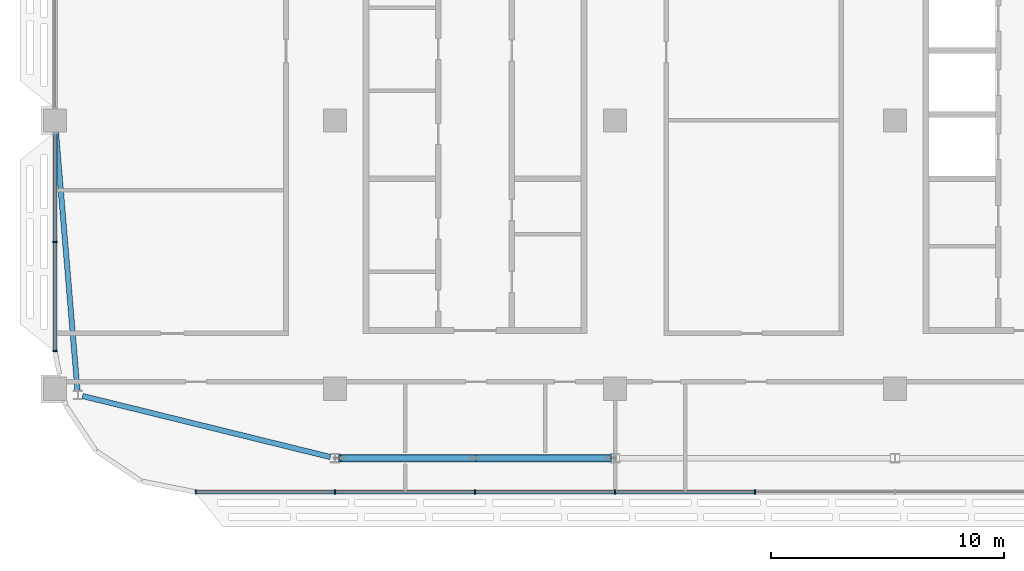
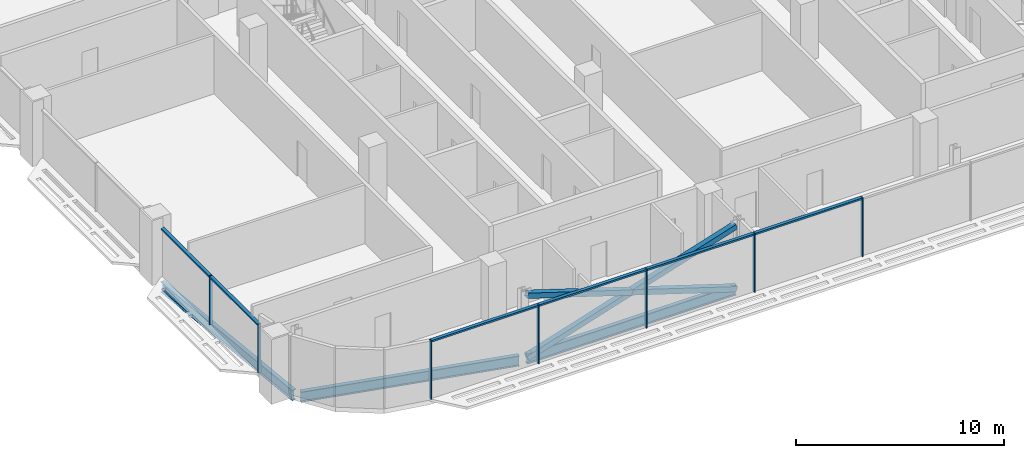
# One storey, part 5 of 32: 16 members, 3 beams, 2 elements without a shape of their own.
"""IFC4 building model written with IfcOpenShell, lengths in metres."""

from ifc_helpers import new_model, si_unit, direction, frame, origin, origin_2d, place, context, subcontext, project, spatial, rectangle, hollow_rectangle, i_section, extrude, material, material_profile, profile_set, type_object, element, aggregate, save


model = new_model("IFC4")

# Units and contexts
model_context = context("Model", 3, precision=1e-05, world=origin(), true_north=direction((0.0, 1.0)))
body_context = subcontext(model_context, "Body", "Model", "MODEL_VIEW")
ifc_project = project(units=[si_unit("LENGTHUNIT", "METRE"), si_unit("AREAUNIT", "SQUARE_METRE"), si_unit("VOLUMEUNIT", "CUBIC_METRE"), si_unit("PLANEANGLEUNIT", "RADIAN"), si_unit("MASSUNIT", "GRAM", prefix="KILO")], contexts=[model_context])

# Site, building, storey
site_placement = place(None, origin())
site = spatial("IfcSite", under=ifc_project, at=site_placement, CompositionType="ELEMENT")
building_placement = place(site_placement, origin())
building = spatial("IfcBuilding", under=site, at=building_placement, Name="Mahtab Terrace Research Tower", CompositionType="ELEMENT")
storey_placement = place(building_placement, frame((0.0, 0.0, 240.0)))
storey = spatial("IfcBuildingStorey", under=building, at=storey_placement, Name="L58", CompositionType="ELEMENT", Elevation=240.0)

# Members
ifc_material_1 = material(Name="Steel ASTM A500 Gr C", Category="steel")
ifc_material_profile_1 = material_profile(ifc_material_1, hollow_rectangle(XDim=0.3046875, YDim=0.3046875, WallThickness=0.015869140625, at=origin_2d()), Name="HSS12X12X5/8")
ifc_profile_set_1 = profile_set([ifc_material_profile_1], Name="Steel ASTM A500 Gr C")
member_type_1 = type_object("IfcMemberType", Name="HSS 12x12x5/8 brace XB121258", PredefinedType="BRACE", material=ifc_profile_set_1)
member_1_placement = place(storey_placement, frame((-29.800537109375, -14.472900390625, -0.580322265625), z_axis=(0.953344342533, 0.0, 0.301885018774), x_axis=(0.0, 1.0, 0.0)))
element("IfcMember", 1, at=member_1_placement, inside=storey, type_object=member_type_1, Name="Exoskeleton brace L58 13 a", PredefinedType="BRACE", context=body_context, shape_type="SweptSolid", body=[
    extrude(hollow_rectangle(XDim=0.3046875, YDim=0.3046875, WallThickness=0.015869140625, at=origin_2d()), origin(), (0.0, 0.0, 1.0), 12.168701171875),
])
for number, where, z_axis, x_axis, name in (
    (2, (-18.199462890625, -14.472900390625, -0.580322265625), (-0.953350116476, 0.0, 0.301866784219), (0.0, -1.0, 0.0), "Exoskeleton brace L58 13 b1"),
    (3, (-24.0, -14.472900390625, 1.25634765625), (-0.953338568311, 0.0, 0.301903252998), (0.0, -1.0, 0.0), "Exoskeleton brace L58 13 b2"),
):
    element("IfcMember", number, at=place(storey_placement, frame(where, z_axis=z_axis, x_axis=x_axis)), inside=storey, type_object=member_type_1, Name=name, PredefinedType="BRACE", context=body_context, shape_type="SweptSolid", body=[
        extrude(hollow_rectangle(XDim=0.3046875, YDim=0.3046875, WallThickness=0.015869140625, at=origin_2d()), origin(), (0.0, 0.0, 1.0), 6.08447265625),
    ])

# Curtain wall, members
ifc_material_2 = material(Name="Office ribbon curtain wall")
curtain_wall_type = type_object("IfcCurtainWallType", Name="Office ribbon curtain wall", PredefinedType="NOTDEFINED", material=ifc_material_2)
curtain_wall_1_placement = place(storey_placement, origin())
curtain_wall_1 = element("IfcCurtainWall", 4, at=curtain_wall_1_placement, inside=storey, type_object=curtain_wall_type, Name="EN.L58.8.10", PredefinedType="NOTDEFINED")
ifc_material_3 = material(Name="Natural anodised aluminium", Category="aluminium")
ifc_material_profile_2 = material_profile(ifc_material_3, rectangle(XDim=0.179931640625, YDim=0.06005859375, at=origin_2d()), Name="MULLION 60x180")
ifc_profile_set_2 = profile_set([ifc_material_profile_2], Name="Natural anodised aluminium")
member_type_2 = type_object("IfcMemberType", Name="Office ribbon curtain wall mullion", PredefinedType="MULLION", material=ifc_profile_set_2)
member_2_placement = place(storey_placement, frame((-42.0, -5.20849609375, 0.0), z_axis=(0.0, 0.0, 1.0), x_axis=(1.0, 0.0, 0.0)))
member_2 = element("IfcMember", 5, at=member_2_placement, type_object=member_type_2, Name="CWO-7 mullion 2", PredefinedType="MULLION", context=body_context, shape_type="SweptSolid", body=[
    extrude(rectangle(XDim=0.179931640625, YDim=0.06005859375, at=origin_2d()), origin(), (0.0, 0.0, 1.0), 2.852783203125),
])
member_3_placement = place(storey_placement, frame((-42.0, -9.886962890625, 0.0), z_axis=(0.0, 0.0, 1.0), x_axis=(1.0, 0.0, 0.0)))
member_3 = element("IfcMember", 6, at=member_3_placement, type_object=member_type_2, Name="CWO-7 mullion 3", PredefinedType="MULLION", context=body_context, shape_type="SweptSolid", body=[
    extrude(rectangle(XDim=0.179931640625, YDim=0.06005859375, at=origin_2d()), origin(), (0.0, 0.0, 1.0), 2.852783203125),
])

curtain_wall_2_placement = place(storey_placement, origin())
curtain_wall_2 = element("IfcCurtainWall", 7, at=curtain_wall_2_placement, inside=storey, type_object=curtain_wall_type, Name="EN.L58.13.16", PredefinedType="NOTDEFINED")
member_4_placement = place(storey_placement, frame((-35.969970703125, -15.9169921875, 0.0), z_axis=(0.0, 0.0, 1.0), x_axis=(0.0, 1.0, 0.0)))
member_4 = element("IfcMember", 8, at=member_4_placement, type_object=member_type_2, Name="CWO-7 mullion 1", PredefinedType="MULLION", context=body_context, shape_type="SweptSolid", body=[
    extrude(rectangle(XDim=0.179931640625, YDim=0.06005859375, at=origin_2d()), origin(), (0.0, 0.0, 1.0), 3.4599609375),
])
member_5_placement = place(storey_placement, frame((-30.0, -15.9169921875, 0.0), z_axis=(0.0, 0.0, 1.0), x_axis=(0.0, 1.0, 0.0)))
member_5 = element("IfcMember", 9, at=member_5_placement, type_object=member_type_2, Name="CWO-7 mullion 2", PredefinedType="MULLION", context=body_context, shape_type="SweptSolid", body=[
    extrude(rectangle(XDim=0.179931640625, YDim=0.06005859375, at=origin_2d()), origin(), (0.0, 0.0, 1.0), 3.4599609375),
])
member_6_placement = place(storey_placement, frame((-24.0, -15.9169921875, 0.0), z_axis=(0.0, 0.0, 1.0), x_axis=(0.0, 1.0, 0.0)))
member_6 = element("IfcMember", 10, at=member_6_placement, type_object=member_type_2, Name="CWO-7 mullion 3", PredefinedType="MULLION", context=body_context, shape_type="SweptSolid", body=[
    extrude(rectangle(XDim=0.179931640625, YDim=0.06005859375, at=origin_2d()), origin(), (0.0, 0.0, 1.0), 3.4599609375),
])
member_7_placement = place(storey_placement, frame((-18.0, -15.9169921875, 0.0), z_axis=(0.0, 0.0, 1.0), x_axis=(0.0, 1.0, 0.0)))
member_7 = element("IfcMember", 11, at=member_7_placement, type_object=member_type_2, Name="CWO-7 mullion 4", PredefinedType="MULLION", context=body_context, shape_type="SweptSolid", body=[
    extrude(rectangle(XDim=0.179931640625, YDim=0.06005859375, at=origin_2d()), origin(), (0.0, 0.0, 1.0), 3.4599609375),
])
member_8_placement = place(storey_placement, frame((-12.0, -15.9169921875, 0.0), z_axis=(0.0, 0.0, 1.0), x_axis=(0.0, 1.0, 0.0)))
member_8 = element("IfcMember", 12, at=member_8_placement, type_object=member_type_2, Name="CWO-7 mullion 5", PredefinedType="MULLION", context=body_context, shape_type="SweptSolid", body=[
    extrude(rectangle(XDim=0.179931640625, YDim=0.06005859375, at=origin_2d()), origin(), (0.0, 0.0, 1.0), 3.4599609375),
])

# Member
ifc_material_profile_3 = material_profile(ifc_material_3, rectangle(XDim=0.179931640625, YDim=0.10009765625, at=origin_2d()), Name="TRANSOM 100x180")
ifc_profile_set_3 = profile_set([ifc_material_profile_3], Name="Natural anodised aluminium")
member_type_3 = type_object("IfcMemberType", Name="Office ribbon curtain wall transom", PredefinedType="USERDEFINED", material=ifc_profile_set_3)
member_9_placement = place(storey_placement, frame((-42.0, -0.56005859375, 2.802978515625), z_axis=(0.0, -1.0, 0.0), x_axis=(1.0, 0.0, 0.0)))
member_9 = element("IfcMember", 13, at=member_9_placement, type_object=member_type_3, Name="CWO-7 transom 1", ObjectType="TRANSOM", PredefinedType="USERDEFINED", context=body_context, shape_type="SweptSolid", body=[
    extrude(rectangle(XDim=0.179931640625, YDim=0.10009765625, at=origin_2d()), origin(), (0.0, 0.0, 1.0), 4.618408203125),
])

member_10_placement = place(storey_placement, frame((-42.0, -5.238525390625, 2.802978515625), z_axis=(0.0, -1.0, 0.0), x_axis=(1.0, 0.0, 0.0)))
member_10 = element("IfcMember", 14, at=member_10_placement, type_object=member_type_3, Name="CWO-7 transom 2", ObjectType="TRANSOM", PredefinedType="USERDEFINED", context=body_context, shape_type="SweptSolid", body=[
    extrude(rectangle(XDim=0.179931640625, YDim=0.10009765625, at=origin_2d()), origin(), (0.0, 0.0, 1.0), 4.618408203125),
])

aggregate(curtain_wall_1, [member_2, member_3, member_9, member_10])

member_11_placement = place(storey_placement, frame((-35.93994140625, -15.9169921875, 3.409912109375), z_axis=(1.0, 0.0, 0.0), x_axis=(0.0, 1.0, 0.0)))
member_11 = element("IfcMember", 15, at=member_11_placement, type_object=member_type_3, Name="CWO-7 transom 1", ObjectType="TRANSOM", PredefinedType="USERDEFINED", context=body_context, shape_type="SweptSolid", body=[
    extrude(rectangle(XDim=0.179931640625, YDim=0.10009765625, at=origin_2d()), origin(), (0.0, 0.0, 1.0), 5.909912109375),
])

member_12_placement = place(storey_placement, frame((-29.969970703125, -15.9169921875, 3.409912109375), z_axis=(1.0, 0.0, 0.0), x_axis=(0.0, 1.0, 0.0)))
member_12 = element("IfcMember", 16, at=member_12_placement, type_object=member_type_3, Name="CWO-7 transom 2", ObjectType="TRANSOM", PredefinedType="USERDEFINED", context=body_context, shape_type="SweptSolid", body=[
    extrude(rectangle(XDim=0.179931640625, YDim=0.10009765625, at=origin_2d()), origin(), (0.0, 0.0, 1.0), 5.93994140625),
])

member_13_placement = place(storey_placement, frame((-23.969970703125, -15.9169921875, 3.409912109375), z_axis=(1.0, 0.0, 0.0), x_axis=(0.0, 1.0, 0.0)))
member_13 = element("IfcMember", 17, at=member_13_placement, type_object=member_type_3, Name="CWO-7 transom 3", ObjectType="TRANSOM", PredefinedType="USERDEFINED", context=body_context, shape_type="SweptSolid", body=[
    extrude(rectangle(XDim=0.179931640625, YDim=0.10009765625, at=origin_2d()), origin(), (0.0, 0.0, 1.0), 5.93994140625),
])

member_14_placement = place(storey_placement, frame((-17.969970703125, -15.9169921875, 3.409912109375), z_axis=(1.0, 0.0, 0.0), x_axis=(0.0, 1.0, 0.0)))
member_14 = element("IfcMember", 18, at=member_14_placement, type_object=member_type_3, Name="CWO-7 transom 4", ObjectType="TRANSOM", PredefinedType="USERDEFINED", context=body_context, shape_type="SweptSolid", body=[
    extrude(rectangle(XDim=0.179931640625, YDim=0.10009765625, at=origin_2d()), origin(), (0.0, 0.0, 1.0), 5.93994140625),
])

aggregate(curtain_wall_2, [member_4, member_5, member_6, member_7, member_8, member_11, member_12, member_13, member_14])

# Beams
ifc_material_4 = material(Name="Steel ASTM A992 Gr 50", Category="steel")
ifc_material_profile_4 = material_profile(ifc_material_4, i_section(OverallWidth=0.228271484375, OverallDepth=0.607177734375, WebThickness=0.01123046875, FlangeThickness=0.017333984375, at=origin_2d()), Name="W24X76")
ifc_profile_set_4 = profile_set([ifc_material_profile_4], Name="Steel ASTM A992 Gr 50")
beam_type = type_object("IfcBeamType", Name="W24x76 beam BS2476", PredefinedType="BEAM", material=ifc_profile_set_4)
beam_1_placement = place(storey_placement, frame((-41.958251953125, -0.5, -0.6435546875), z_axis=(0.082961772462, -0.996552730321, 0.0), x_axis=(0.996552730321, 0.082961772462, 0.0)))
element("IfcBeam", 19, at=beam_1_placement, inside=storey, type_object=beam_type, Name="Spandrel beam L58 11", PredefinedType="BEAM", context=body_context, shape_type="SweptSolid", body=[
    extrude(i_section(OverallWidth=0.228271484375, OverallDepth=0.607177734375, WebThickness=0.01123046875, FlangeThickness=0.017333984375, at=origin_2d()), origin(), (0.0, 0.0, 1.0), 11.103271484375),
])
beam_2_placement = place(storey_placement, frame((-40.821533203125, -11.80712890625, -0.6435546875), z_axis=(0.970971673225, -0.239194502014, 0.0), x_axis=(0.239194502014, 0.970971673225, 0.0)))
element("IfcBeam", 20, at=beam_2_placement, inside=storey, type_object=beam_type, Name="Spandrel beam L58 12", PredefinedType="BEAM", context=body_context, shape_type="SweptSolid", body=[
    extrude(i_section(OverallWidth=0.228271484375, OverallDepth=0.607177734375, WebThickness=0.01123046875, FlangeThickness=0.017333984375, at=origin_2d()), origin(), (0.0, 0.0, 1.0), 10.939697265625),
])
beam_3_placement = place(storey_placement, frame((-29.800537109375, -14.472900390625, -0.6435546875), z_axis=(1.0, 0.0, 0.0), x_axis=(0.0, 1.0, 0.0)))
element("IfcBeam", 21, at=beam_3_placement, inside=storey, type_object=beam_type, Name="Spandrel beam L58 13", PredefinedType="BEAM", context=body_context, shape_type="SweptSolid", body=[
    extrude(i_section(OverallWidth=0.228271484375, OverallDepth=0.607177734375, WebThickness=0.01123046875, FlangeThickness=0.017333984375, at=origin_2d()), origin(), (0.0, 0.0, 1.0), 11.60107421875),
])

save(model, "model.ifc")
